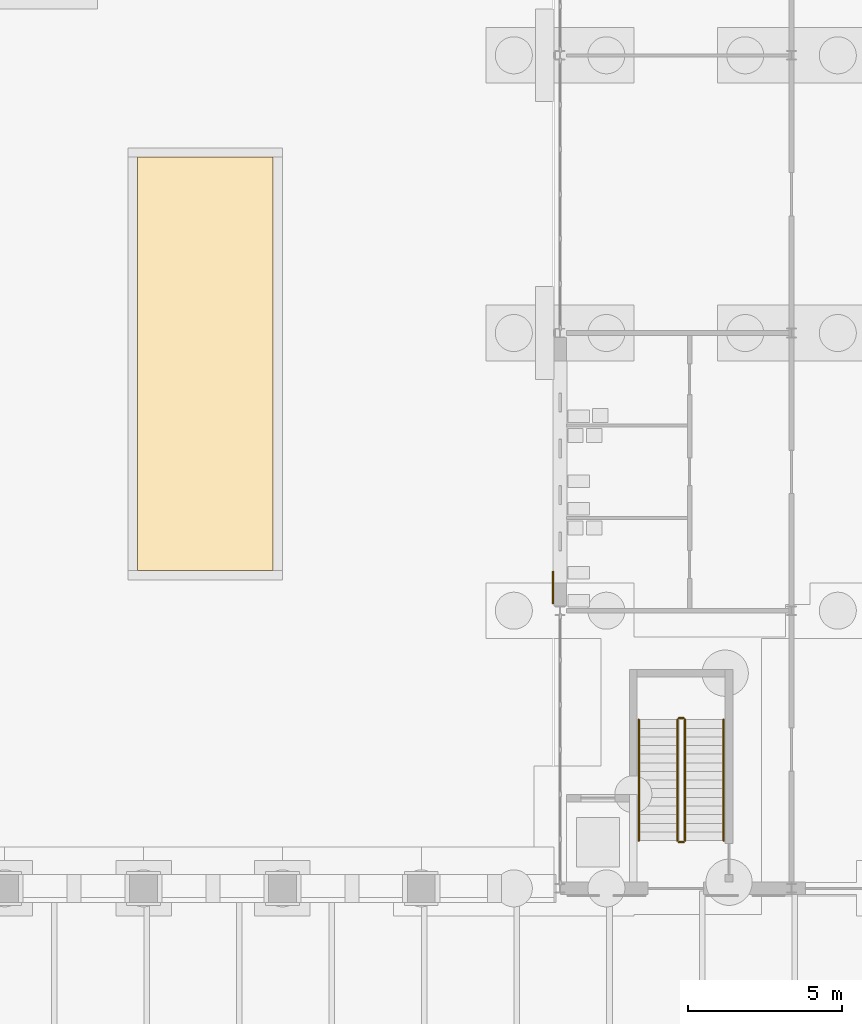
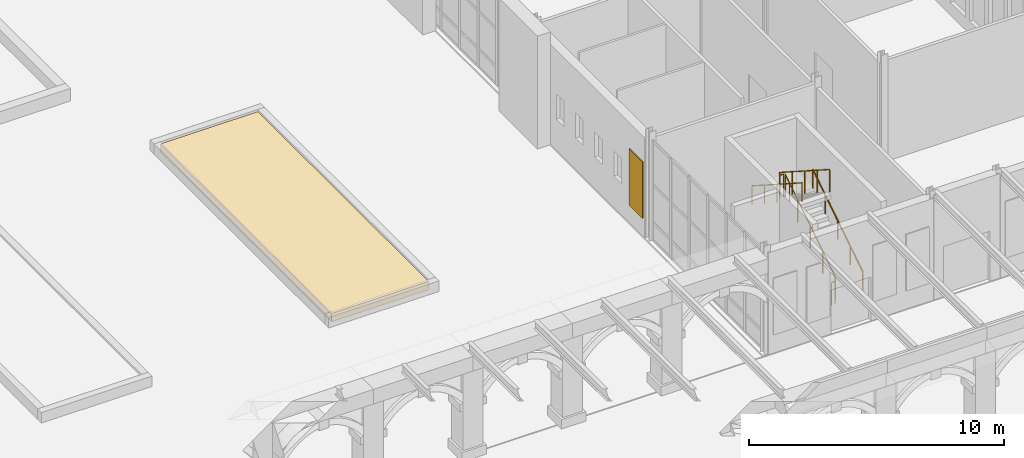
# One storey, part 130 of 168: 6 railings, 2 coverings.
"""IFC4 building model written with IfcOpenShell, lengths in metres."""

import ifcopenshell
import ifcopenshell.guid

model = None  # the IFC model being written
_history = None  # IfcOwnerHistory: only IFC2X3 demands one
_inside = {}  # id of a spatial element -> (the spatial element, [elements in it])
_under = {}  # id of a project, library or spatial element -> (it, [spatial elements below it])
_declared = {}  # id of a project -> (the project, [libraries it declares])
_typed = {}  # id of a type object -> (the type object, [elements of that type])
_made_of = {}  # id of a material, layer set ... -> (it, [elements and type objects made of it])


def new_model(schema):
    """Start an empty IFC model of exactly this schema.

    Asked for "IFC4X3", IfcOpenShell would pick the latest addendum, in which some entities
    have other attributes; the version numbers below select the first issue.
    IFC2X3 requires an IfcOwnerHistory on every rooted entity: one is made here for all.
    """
    global model, _history
    if schema == "IFC4X3":
        model = ifcopenshell.file(schema_version=(4, 3, 0, 0))
    else:
        model = ifcopenshell.file(schema=schema)
    _inside.clear()
    _under.clear()
    _declared.clear()
    _typed.clear()
    _made_of.clear()
    _history = None
    if model.schema == "IFC2X3":
        org = make("IfcOrganization", Name="unknown")
        user = make(
            "IfcPersonAndOrganization",
            ThePerson=make("IfcPerson", FamilyName="unknown"),
            TheOrganization=org,
        )
        app = make(
            "IfcApplication",
            ApplicationDeveloper=org,
            Version="unknown",
            ApplicationFullName="unknown",
            ApplicationIdentifier="unknown",
        )
        _history = make(
            "IfcOwnerHistory",
            OwningUser=user,
            OwningApplication=app,
            ChangeAction="ADDED",
            CreationDate=0,
        )
    return model


def make(cls, **values):
    """One entity of the class cls with the attributes given. An attribute that is None is left unset."""
    return model.create_entity(
        cls, **{name: value for name, value in values.items() if value is not None}
    )


def rooted(cls, **values):
    """An entity with a GlobalId (a new one), such as an element, a storey or a relation."""
    return make(cls, GlobalId=ifcopenshell.guid.new(), OwnerHistory=_history, **values)


def si_unit(unit_type, name, prefix=None):
    """IfcSIUnit, for example si_unit("LENGTHUNIT", "METRE", prefix="MILLI")."""
    return make("IfcSIUnit", UnitType=unit_type, Prefix=prefix, Name=name)


def assignment(units):
    """IfcUnitAssignment: the units of a project."""
    return None if units is None else make("IfcUnitAssignment", Units=units)


def point(xyz):
    """IfcCartesianPoint."""
    return None if xyz is None else make("IfcCartesianPoint", Coordinates=xyz)


def direction(xyz):
    """IfcDirection."""
    return None if xyz is None else make("IfcDirection", DirectionRatios=xyz)


def frame(location, z_axis=None, x_axis=None):
    """IfcAxis2Placement3D, a coordinate frame: its origin and axes. An axis left out is left unset."""
    return make(
        "IfcAxis2Placement3D",
        Location=point(location),
        Axis=direction(z_axis),
        RefDirection=direction(x_axis),
    )


def frame_2d(location, x_axis=None):
    """IfcAxis2Placement2D, a coordinate frame in the plane: its origin and x axis."""
    return make(
        "IfcAxis2Placement2D", Location=point(location), RefDirection=direction(x_axis)
    )


def origin():
    """The frame at (0, 0, 0) with its axes left unset."""
    return frame((0.0, 0.0, 0.0))


def origin_2d():
    """The frame at (0, 0) in the plane with its x axis left unset."""
    return frame_2d((0.0, 0.0))


def place(relative_to, where):
    """IfcLocalPlacement: puts the frame where relative to a parent placement (None: the world)."""
    return make(
        "IfcLocalPlacement", PlacementRelTo=relative_to, RelativePlacement=where
    )


def context(
    kind, dimensions, precision=None, world=None, true_north=None, identifier=None
):
    """IfcGeometricRepresentationContext, for example the 3D "Model" context."""
    return make(
        "IfcGeometricRepresentationContext",
        ContextIdentifier=identifier,
        ContextType=kind,
        CoordinateSpaceDimension=dimensions,
        Precision=precision,
        WorldCoordinateSystem=world,
        TrueNorth=true_north,
    )


def subcontext(parent, identifier, kind, view, scale=None):
    """IfcGeometricRepresentationSubContext, for example "Body" below "Model"."""
    return make(
        "IfcGeometricRepresentationSubContext",
        ContextIdentifier=identifier,
        ContextType=kind,
        ParentContext=parent,
        TargetScale=scale,
        TargetView=view,
    )


def project(units=None, contexts=None):
    """IfcProject with its units and contexts."""
    return rooted(
        "IfcProject",
        Name="project",
        RepresentationContexts=contexts,
        UnitsInContext=assignment(units),
    )


def spatial(cls, under=None, at=None, **own):
    """A site, building, storey or space (cls), placed at a placement, below another one or the project."""
    s = rooted(cls, ObjectPlacement=at, **own)
    if under is not None:
        _under.setdefault(under.id(), (under, []))[1].append(s)
    return s


def polyline(points):
    """IfcPolyline through the points."""
    return make("IfcPolyline", Points=[point(p) for p in points])


def profile(cls, at=None, kind="AREA", **sizes):
    """A parametric profile (cls). Its sizes go by their IFC names, for example OverallWidth=200.0."""
    return make(cls, ProfileType=kind, Position=at, **sizes)


def circle(**sizes):
    """IfcCircleProfileDef."""
    return profile("IfcCircleProfileDef", **sizes)


def outline(outer, holes=None, kind="AREA"):
    """IfcArbitraryClosedProfileDef: a profile drawn as a closed curve; with holes, ...WithVoids."""
    if holes is None:
        return make("IfcArbitraryClosedProfileDef", ProfileType=kind, OuterCurve=outer)
    return make(
        "IfcArbitraryProfileDefWithVoids",
        ProfileType=kind,
        OuterCurve=outer,
        InnerCurves=holes,
    )


def extrude(swept, where, along, depth):
    """IfcExtrudedAreaSolid: the profile swept, set in the frame where, extruded along a direction by depth."""
    return make(
        "IfcExtrudedAreaSolid",
        SweptArea=swept,
        Position=where,
        ExtrudedDirection=direction(along),
        Depth=depth,
    )


def shape(context_of_items, identifier, shape_type, items):
    """IfcShapeRepresentation: the items that make up one representation, for example the "Body"."""
    return make(
        "IfcShapeRepresentation",
        ContextOfItems=context_of_items,
        RepresentationIdentifier=identifier,
        RepresentationType=shape_type,
        Items=items,
    )


def material(Name=None, Category=None):
    """IfcMaterial."""
    return make("IfcMaterial", Name=Name, Category=Category)


def layer(
    of_material, thickness, ventilated=None, Name=None, Category=None, Priority=None
):
    """IfcMaterialLayer: one layer of a wall or slab, of a material (None: an air gap)."""
    return make(
        "IfcMaterialLayer",
        Material=of_material,
        LayerThickness=thickness,
        IsVentilated=ventilated,
        Name=Name,
        Category=Category,
        Priority=Priority,
    )


def layer_set(layers, Name=None):
    """IfcMaterialLayerSet."""
    return make("IfcMaterialLayerSet", MaterialLayers=layers, LayerSetName=Name)


def made_of(thing, what):
    """Note that an element or type object is made of a material, layer set ...; save() writes the relation."""
    if what is not None:
        _made_of.setdefault(what.id(), (what, []))[1].append(thing)
    return thing


def type_object(cls, material=None, **own):
    """A type object (cls), such as IfcWallType, which elements share."""
    return made_of(rooted(cls, **own), material)


def element(
    cls,
    number,
    at=None,
    inside=None,
    cuts=None,
    type_object=None,
    material=None,
    context=None,
    identifier="Body",
    shape_type=None,
    held_by="IfcProductDefinitionShape",
    body=None,
    shapes=None,
    **own,
):
    """One element of the class cls, such as IfcWall. Its Tag is "e" and its number.

    at: its placement. inside: the storey or other place that contains it. cuts: it is an
    opening in that element (IfcRelVoidsElement). A single representation is given by context,
    identifier, shape_type and body (its items); several are given by shapes. held_by: the class
    of the entity that holds the representations. save() writes the other relations.
    """
    e = rooted(cls, Tag="e%d" % number, ObjectPlacement=at, **own)
    if body is not None:
        shapes = [shape(context, identifier, shape_type, body)]
    if shapes is not None:
        e.Representation = make(held_by, Representations=shapes)
    if inside is not None:
        _inside.setdefault(inside.id(), (inside, []))[1].append(e)
    if cuts is not None:
        rooted(
            "IfcRelVoidsElement", RelatingBuildingElement=cuts, RelatedOpeningElement=e
        )
    if type_object is not None:
        _typed.setdefault(type_object.id(), (type_object, []))[1].append(e)
    return made_of(e, material)


def aggregate(whole, parts):
    """IfcRelAggregates: a whole, such as a stair, and the parts it consists of."""
    return rooted("IfcRelAggregates", RelatingObject=whole, RelatedObjects=parts)


def save(model, path):
    """Write the relations noted so far, then the file.

    IfcRelAggregates (storeys below a building ...), IfcRelContainedInSpatialStructure (elements
    in a storey), IfcRelDefinesByType, IfcRelAssociatesMaterial and IfcRelDeclares: one each for
    every whole, place, type object, material and project.
    """
    for whole, parts in _under.values():
        aggregate(whole, parts)
    for where, things in _inside.values():
        rooted(
            "IfcRelContainedInSpatialStructure",
            RelatedElements=things,
            RelatingStructure=where,
        )
    for kind, things in _typed.values():
        rooted("IfcRelDefinesByType", RelatedObjects=things, RelatingType=kind)
    for what, things in _made_of.values():
        rooted("IfcRelAssociatesMaterial", RelatedObjects=things, RelatingMaterial=what)
    for by, libraries in _declared.values():
        rooted("IfcRelDeclares", RelatingContext=by, RelatedDefinitions=libraries)
    model.write(path)


model = new_model("IFC4")

# Units and contexts
model_context = context("Model", 3, precision=1e-05, world=origin(), true_north=direction((0.0, 1.0)))
body_context = subcontext(model_context, "Body", "Model", "MODEL_VIEW")
ifc_project = project(units=[si_unit("LENGTHUNIT", "METRE"), si_unit("AREAUNIT", "SQUARE_METRE"), si_unit("VOLUMEUNIT", "CUBIC_METRE"), si_unit("PLANEANGLEUNIT", "RADIAN"), si_unit("MASSUNIT", "GRAM", prefix="KILO")], contexts=[model_context])

# Site, building, storey
site_placement = place(None, origin())
site = spatial("IfcSite", under=ifc_project, at=site_placement, CompositionType="ELEMENT")
building_placement = place(site_placement, origin())
building = spatial("IfcBuilding", under=site, at=building_placement, Name="Golden Quay Civic Hall", CompositionType="ELEMENT")
storey_placement = place(building_placement, origin())
storey = spatial("IfcBuildingStorey", under=building, at=storey_placement, Name="L00", CompositionType="ELEMENT", Elevation=0.0)

# Covering
ifc_material_1 = material(Name="Planting soil")
ifc_layer_1 = layer(ifc_material_1, 0.39990234375)
ifc_layer_set_1 = layer_set([ifc_layer_1], Name="Planting soil 400")
covering_type_1 = type_object("IfcCoveringType", Name="Planting soil 400", PredefinedType="FLOORING", material=ifc_layer_set_1)
covering_1_placement = place(storey_placement, origin())
element("IfcCovering", 1, at=covering_1_placement, inside=storey, type_object=covering_type_1, Name="Court planting West Court 3", PredefinedType="FLOORING", context=body_context, shape_type="SweptSolid", body=[
    extrude(outline(polyline([(40.300048828125, 10.300048828125), (44.699951171875, 10.300048828125), (44.699951171875, 23.699951171875), (40.300048828125, 23.699951171875), (40.300048828125, 10.300048828125)])), origin(), (0.0, 0.0, 1.0), 0.39990234375),
])

# Railings
ifc_material_2 = material(Name="Steel S355", Category="steel")
railing_type_1 = type_object("IfcRailingType", Name="Steel guard 1100", PredefinedType="GUARDRAIL", material=ifc_material_2)
railing_1_placement = place(storey_placement, frame((58.050048828125, 1.550048828125, 0.179931640625)))
element("IfcRailing", 2, at=railing_1_placement, inside=storey, type_object=railing_type_1, Name="L00 WM-S stair guard 1", PredefinedType="GUARDRAIL", context=body_context, shape_type="SweptSolid", body=[
    extrude(circle(Radius=0.02392578125, at=origin_2d()), frame((0.0, 0.0, 1.076171875), z_axis=(0.0, 0.841171666519, 0.540768182723), x_axis=(-1.0, 0.0, 0.0)), (0.0, 0.0, 1.0), 4.66015625),
    extrude(circle(Radius=0.02099609375, at=origin_2d()), origin(), (0.0, 0.0, 1.0), 1.052001953125),
    extrude(circle(Radius=0.02099609375, at=origin_2d()), frame((0.0, 0.97998046875, 0.6298828125)), (0.0, 0.0, 1.0), 1.052001953125),
    extrude(circle(Radius=0.02099609375, at=origin_2d()), frame((0.0, 1.9599609375, 1.260009765625)), (0.0, 0.0, 1.0), 1.052001953125),
    extrude(circle(Radius=0.02099609375, at=origin_2d()), frame((0.0, 2.93994140625, 1.89013671875)), (0.0, 0.0, 1.0), 1.052001953125),
    extrude(circle(Radius=0.02099609375, at=origin_2d()), frame((0.0, 3.919921875, 2.52001953125)), (0.0, 0.0, 1.0), 1.052001953125),
])
railing_2_placement = place(storey_placement, frame((58.0, 5.52001953125, 2.699951171875)))
element("IfcRailing", 3, at=railing_2_placement, inside=storey, type_object=railing_type_1, Name="L00 WM-S stair guard 2", PredefinedType="GUARDRAIL", context=body_context, shape_type="SweptSolid", body=[
    extrude(circle(Radius=0.02392578125, at=origin_2d()), frame((0.0, 0.0, 1.076171875), z_axis=(-1.0, 0.0, 0.0), x_axis=(0.0, -1.0, 0.0)), (0.0, 0.0, 1.0), 0.14990234375),
    extrude(circle(Radius=0.02099609375, at=origin_2d()), origin(), (0.0, 0.0, 1.0), 1.052001953125),
    extrude(circle(Radius=0.02099609375, at=origin_2d()), frame((-0.14990234375, 0.0, 0.0)), (0.0, 0.0, 1.0), 1.052001953125),
])
railing_3_placement = place(storey_placement, frame((57.800048828125, 5.469970703125, 2.8798828125)))
element("IfcRailing", 4, at=railing_3_placement, inside=storey, type_object=railing_type_1, Name="L00 WM-S stair guard 3", PredefinedType="GUARDRAIL", context=body_context, shape_type="SweptSolid", body=[
    extrude(circle(Radius=0.02392578125, at=origin_2d()), frame((0.0, 0.0, 1.076171875), z_axis=(0.0, -0.841171666519, 0.540768182723), x_axis=(1.0, 0.0, 0.0)), (0.0, 0.0, 1.0), 4.66015625),
    extrude(circle(Radius=0.02099609375, at=origin_2d()), origin(), (0.0, 0.0, 1.0), 1.052001953125),
    extrude(circle(Radius=0.02099609375, at=origin_2d()), frame((0.0, -0.97998046875, 0.6298828125)), (0.0, 0.0, 1.0), 1.052001953125),
    extrude(circle(Radius=0.02099609375, at=origin_2d()), frame((0.0, -1.9599609375, 1.260009765625)), (0.0, 0.0, 1.0), 1.052001953125),
    extrude(circle(Radius=0.02099609375, at=origin_2d()), frame((0.0, -2.93994140625, 1.89013671875)), (0.0, 0.0, 1.0), 1.052001953125),
    extrude(circle(Radius=0.02099609375, at=origin_2d()), frame((0.0, -3.919921875, 2.52001953125)), (0.0, 0.0, 1.0), 1.052001953125),
])
railing_4_placement = place(storey_placement, frame((58.0, 1.5, 0.0)))
element("IfcRailing", 5, at=railing_4_placement, inside=storey, type_object=railing_type_1, Name="L00 WM-S stair guard 4", PredefinedType="GUARDRAIL", context=body_context, shape_type="SweptSolid", body=[
    extrude(circle(Radius=0.02392578125, at=origin_2d()), frame((0.0, 0.0, 1.076171875), z_axis=(-1.0, 0.0, 0.0), x_axis=(0.0, -1.0, 0.0)), (0.0, 0.0, 1.0), 0.14990234375),
    extrude(circle(Radius=0.02099609375, at=origin_2d()), origin(), (0.0, 0.0, 1.0), 1.052001953125),
    extrude(circle(Radius=0.02099609375, at=origin_2d()), frame((-0.14990234375, 0.0, 0.0)), (0.0, 0.0, 1.0), 1.052001953125),
])
ifc_material_3 = material(Name="Steel S355", Category="steel")
railing_type_2 = type_object("IfcRailingType", Name="Steel handrail 900", PredefinedType="HANDRAIL", material=ifc_material_3)
railing_5_placement = place(storey_placement, frame((59.300048828125, 1.550048828125, 0.179931640625)))
element("IfcRailing", 6, at=railing_5_placement, inside=storey, type_object=railing_type_2, Name="L00 WM-S stair handrail 1", PredefinedType="HANDRAIL", context=body_context, shape_type="SweptSolid", body=[
    extrude(circle(Radius=0.02392578125, at=origin_2d()), frame((0.0, 0.0, 0.8759765625), z_axis=(0.0, 0.841171666519, 0.540768182723), x_axis=(-1.0, 0.0, 0.0)), (0.0, 0.0, 1.0), 4.66015625),
    extrude(circle(Radius=0.02099609375, at=origin_2d()), origin(), (0.0, 0.0, 1.0), 0.851806640625),
    extrude(circle(Radius=0.02099609375, at=origin_2d()), frame((0.0, 0.97998046875, 0.6298828125)), (0.0, 0.0, 1.0), 0.851806640625),
    extrude(circle(Radius=0.02099609375, at=origin_2d()), frame((0.0, 1.9599609375, 1.260009765625)), (0.0, 0.0, 1.0), 0.851806640625),
    extrude(circle(Radius=0.02099609375, at=origin_2d()), frame((0.0, 2.93994140625, 1.89013671875)), (0.0, 0.0, 1.0), 0.851806640625),
    extrude(circle(Radius=0.02099609375, at=origin_2d()), frame((0.0, 3.919921875, 2.52001953125)), (0.0, 0.0, 1.0), 0.851806640625),
])
railing_6_placement = place(storey_placement, frame((56.550048828125, 5.469970703125, 2.8798828125)))
element("IfcRailing", 7, at=railing_6_placement, inside=storey, type_object=railing_type_2, Name="L00 WM-S stair handrail 2", PredefinedType="HANDRAIL", context=body_context, shape_type="SweptSolid", body=[
    extrude(circle(Radius=0.02392578125, at=origin_2d()), frame((0.0, 0.0, 0.8759765625), z_axis=(0.0, -0.841171666519, 0.540768182723), x_axis=(1.0, 0.0, 0.0)), (0.0, 0.0, 1.0), 4.66015625),
    extrude(circle(Radius=0.02099609375, at=origin_2d()), origin(), (0.0, 0.0, 1.0), 0.851806640625),
    extrude(circle(Radius=0.02099609375, at=origin_2d()), frame((0.0, -0.97998046875, 0.6298828125)), (0.0, 0.0, 1.0), 0.851806640625),
    extrude(circle(Radius=0.02099609375, at=origin_2d()), frame((0.0, -1.9599609375, 1.260009765625)), (0.0, 0.0, 1.0), 0.851806640625),
    extrude(circle(Radius=0.02099609375, at=origin_2d()), frame((0.0, -2.93994140625, 1.89013671875)), (0.0, 0.0, 1.0), 0.851806640625),
    extrude(circle(Radius=0.02099609375, at=origin_2d()), frame((0.0, -3.919921875, 2.52001953125)), (0.0, 0.0, 1.0), 0.851806640625),
])

# Covering
ifc_material_4 = material(Name="Terracotta cladding, golden glaze", Category="masonry")
ifc_layer_2 = layer(ifc_material_4, 0.050048828125)
ifc_layer_set_2 = layer_set([ifc_layer_2], Name="Terracotta solid panel 1050 x 2700 x 50")
covering_type_2 = type_object("IfcCoveringType", Name="Terracotta solid panel 1050 x 2700 x 50", PredefinedType="CLADDING", material=ifc_layer_set_2)
covering_2_placement = place(storey_placement, frame((0.0, 0.0, 0.89990234375)))
element("IfcCovering", 8, at=covering_2_placement, inside=storey, type_object=covering_type_2, Name="Terracotta solid panel 1050 x 2700 x 50 L00 23", PredefinedType="CLADDING", context=body_context, shape_type="SweptSolid", body=[
    extrude(outline(polyline([(53.800048828125, 9.22509765625), (53.800048828125, 10.27490234375), (53.75, 10.27490234375), (53.75, 9.22509765625), (53.800048828125, 9.22509765625)])), origin(), (0.0, 0.0, 1.0), 2.7001953125),
])

save(model, "model.ifc")
